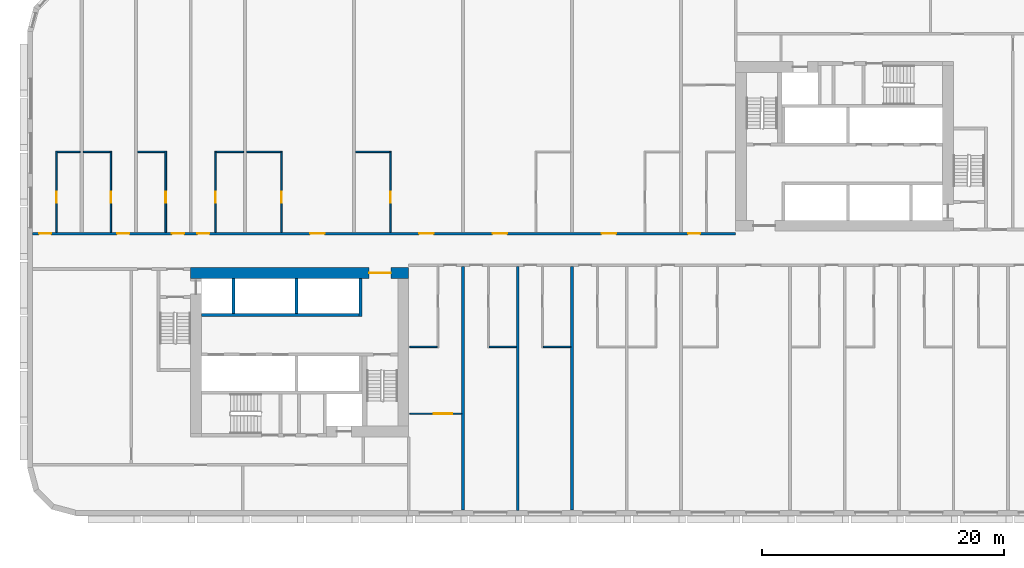
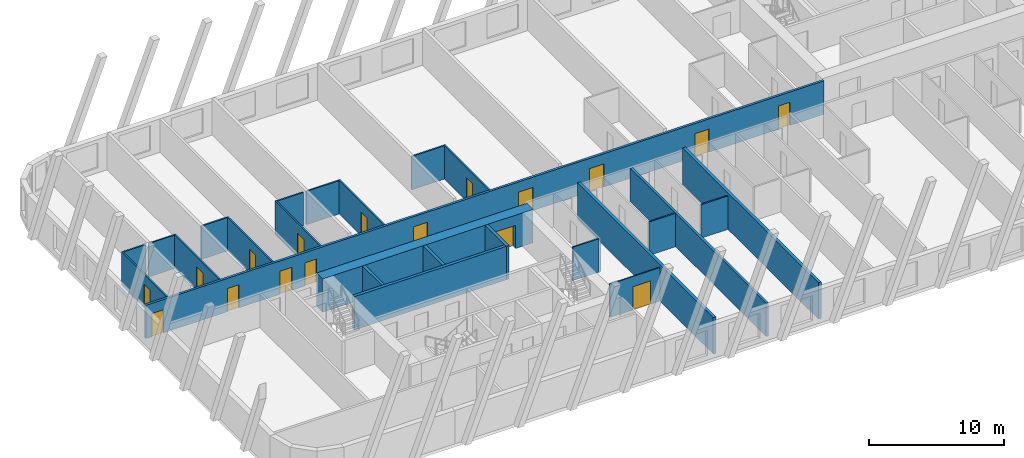
# One storey, part 3 of 13: 25 walls, 17 doors, 17 openings.
"""IFC4 building model written with IfcOpenShell, lengths in metres."""

from ifc_helpers import new_model, si_unit, direction, frame, frame_2d, origin, place, context, subcontext, project, spatial, rectangle, extrude, material, layer, layer_set, type_object, element, fill, save


model = new_model("IFC4")

# Units and contexts
model_context = context("Model", 3, precision=1e-05, world=origin(), true_north=direction((0.0, 1.0)))
body_context = subcontext(model_context, "Body", "Model", "MODEL_VIEW")
ifc_project = project(units=[si_unit("LENGTHUNIT", "METRE"), si_unit("AREAUNIT", "SQUARE_METRE"), si_unit("VOLUMEUNIT", "CUBIC_METRE"), si_unit("PLANEANGLEUNIT", "RADIAN"), si_unit("MASSUNIT", "GRAM", prefix="KILO")], contexts=[model_context])

# Site, building, storey
site_placement = place(None, origin())
site = spatial("IfcSite", under=ifc_project, at=site_placement, CompositionType="ELEMENT")
building_placement = place(site_placement, origin())
building = spatial("IfcBuilding", under=site, at=building_placement, Name="Kajstack Hotel Tower", CompositionType="ELEMENT")
storey_placement = place(building_placement, frame((0.0, 0.0, 89.699951171875)))
storey = spatial("IfcBuildingStorey", under=building, at=storey_placement, Name="L18", CompositionType="ELEMENT", Elevation=89.699951171875)

# Wall, opening, door
ifc_material_1 = material(Name="Concrete C60/75", Category="concrete")
ifc_layer_1 = layer(ifc_material_1, 0.89990234375)
ifc_layer_set_1 = layer_set([ifc_layer_1], Name="Core wall 900")
wall_type_1 = type_object("IfcWallType", Name="Core wall 900", PredefinedType="SHEAR", material=ifc_layer_set_1)
wall_1_placement = place(storey_placement, frame((-31.5, -1.949951171875, 0.0), z_axis=(0.0, 0.0, 1.0), x_axis=(1.0, 0.0, 0.0)))
wall_1 = element("IfcWall", 1, at=wall_1_placement, inside=storey, type_object=wall_type_1, Name="Core wall W RN", PredefinedType="SHEAR", context=body_context, shape_type="SweptSolid", body=[
    extrude(rectangle(XDim=18.0, YDim=0.89990234375, at=frame_2d((9.0, 0.0))), origin(), (0.0, 0.0, 1.0), 3.02001953125),
])
opening_1_placement = place(wall_1_placement, frame((14.72509765625, 0.0, 0.0)))
opening_1 = element("IfcOpeningElement", 2, at=opening_1_placement, cuts=wall_1, Name="Opening 18W06", PredefinedType="OPENING", context=body_context, shape_type="SweptSolid", body=[
    extrude(rectangle(XDim=1.800048828125, YDim=2.10009765625, at=frame_2d((0.89990234375, 1.050048828125))), frame((0.0, 0.4599609375, 0.0), z_axis=(0.0, -1.0, 0.0), x_axis=(1.0, 0.0, 0.0)), (0.0, 0.0, 1.0), 0.919921875),
])
ifc_material_2 = material(Name="Glazed steel frame, fire-rated glass", Category="steel")
door_type_1 = type_object("IfcDoorType", Name="Lobby double door 1800", OperationType="DOUBLE_DOOR_DOUBLE_SWING", PredefinedType="DOOR", material=ifc_material_2)
door_1_placement = place(opening_1_placement, origin())
door_1 = element("IfcDoor", 3, at=door_1_placement, inside=storey, type_object=door_type_1, Name="Door 18W06", OperationType="DOUBLE_DOOR_DOUBLE_SWING", OverallHeight=2.10009765625, OverallWidth=1.800048828125, PredefinedType="DOOR", context=body_context, shape_type="SweptSolid", body=[
    extrude(rectangle(XDim=1.800048828125, YDim=2.10009765625, at=frame_2d((0.89990234375, 1.050048828125))), frame((0.0, 0.02490234375, 0.0), z_axis=(0.0, -1.0, 0.0), x_axis=(1.0, 0.0, 0.0)), (0.0, 0.0, 1.0), 0.050048828125),
])
fill(opening_1, door_1)

# Wall, openings, doors
ifc_material_3 = material(Name="Gypsum board on steel studs, mineral wool", Category="steel")
ifc_layer_2 = layer(ifc_material_3, 0.199951171875)
ifc_layer_set_2 = layer_set([ifc_layer_2], Name="Corridor wall 200")
wall_type_2 = type_object("IfcWallType", Name="Corridor wall 200", PredefinedType="PARTITIONING", material=ifc_layer_set_2)
wall_2_placement = place(storey_placement, frame((-44.550048828125, 1.300048828125, 0.0), z_axis=(0.0, 0.0, 1.0), x_axis=(1.0, 0.0, 0.0)))
wall_2 = element("IfcWall", 4, at=wall_2_placement, inside=storey, type_object=wall_type_2, Name="G-wall-L18-003", PredefinedType="PARTITIONING", context=body_context, shape_type="SweptSolid", body=[
    extrude(rectangle(XDim=58.050048828125, YDim=0.199951171875, at=frame_2d((29.02490234375, 0.0))), origin(), (0.0, 0.0, 1.0), 3.02001953125),
])
opening_2_placement = place(wall_2_placement, frame((0.52490234375, 0.0, 0.0)))
opening_2 = element("IfcOpeningElement", 5, at=opening_2_placement, cuts=wall_2, Name="Opening 18001", PredefinedType="OPENING", context=body_context, shape_type="SweptSolid", body=[
    extrude(rectangle(XDim=1.0, YDim=2.10009765625, at=frame_2d((0.5, 1.050048828125))), frame((0.0, 0.10986328125, 0.0), z_axis=(0.0, -1.0, 0.0), x_axis=(1.0, 0.0, 0.0)), (0.0, 0.0, 1.0), 0.219970703125),
])
opening_3_placement = place(wall_2_placement, frame((6.97509765625, 0.0, 0.0)))
opening_3 = element("IfcOpeningElement", 6, at=opening_3_placement, cuts=wall_2, Name="Opening 18003", PredefinedType="OPENING", context=body_context, shape_type="SweptSolid", body=[
    extrude(rectangle(XDim=1.0, YDim=2.10009765625, at=frame_2d((0.5, 1.050048828125))), frame((0.0, 0.10986328125, 0.0), z_axis=(0.0, -1.0, 0.0), x_axis=(1.0, 0.0, 0.0)), (0.0, 0.0, 1.0), 0.219970703125),
])
opening_4_placement = place(wall_2_placement, frame((11.5, 0.0, 0.0)))
opening_4 = element("IfcOpeningElement", 7, at=opening_4_placement, cuts=wall_2, Name="Opening 18005", PredefinedType="OPENING", context=body_context, shape_type="SweptSolid", body=[
    extrude(rectangle(XDim=1.0, YDim=2.10009765625, at=frame_2d((0.5, 1.050048828125))), frame((0.0, 0.10986328125, 0.0), z_axis=(0.0, -1.0, 0.0), x_axis=(1.0, 0.0, 0.0)), (0.0, 0.0, 1.0), 0.219970703125),
])
opening_5_placement = place(wall_2_placement, frame((13.60009765625, 0.0, 0.0)))
opening_5 = element("IfcOpeningElement", 8, at=opening_5_placement, cuts=wall_2, Name="Opening 18007", PredefinedType="OPENING", context=body_context, shape_type="SweptSolid", body=[
    extrude(rectangle(XDim=1.0, YDim=2.10009765625, at=frame_2d((0.5, 1.050048828125))), frame((0.0, 0.10986328125, 0.0), z_axis=(0.0, -1.0, 0.0), x_axis=(1.0, 0.0, 0.0)), (0.0, 0.0, 1.0), 0.219970703125),
])
opening_6_placement = place(wall_2_placement, frame((22.912109375, 0.0, 0.0)))
opening_6 = element("IfcOpeningElement", 9, at=opening_6_placement, cuts=wall_2, Name="Opening 18009", PredefinedType="OPENING", context=body_context, shape_type="SweptSolid", body=[
    extrude(rectangle(XDim=1.199951171875, YDim=2.10009765625, at=frame_2d((0.60009765625, 1.050048828125))), frame((0.0, 0.10986328125, 0.0), z_axis=(0.0, -1.0, 0.0), x_axis=(1.0, 0.0, 0.0)), (0.0, 0.0, 1.0), 0.219970703125),
])
opening_7_placement = place(wall_2_placement, frame((31.912109375, 0.0, 0.0)))
opening_7 = element("IfcOpeningElement", 10, at=opening_7_placement, cuts=wall_2, Name="Opening 18011", PredefinedType="OPENING", context=body_context, shape_type="SweptSolid", body=[
    extrude(rectangle(XDim=1.199951171875, YDim=2.10009765625, at=frame_2d((0.60009765625, 1.050048828125))), frame((0.0, 0.10986328125, 0.0), z_axis=(0.0, -1.0, 0.0), x_axis=(1.0, 0.0, 0.0)), (0.0, 0.0, 1.0), 0.219970703125),
])
opening_8_placement = place(wall_2_placement, frame((37.987060546875, 0.0, 0.0)))
opening_8 = element("IfcOpeningElement", 11, at=opening_8_placement, cuts=wall_2, Name="Opening 18013", PredefinedType="OPENING", context=body_context, shape_type="SweptSolid", body=[
    extrude(rectangle(XDim=1.199951171875, YDim=2.10009765625, at=frame_2d((0.60009765625, 1.050048828125))), frame((0.0, 0.10986328125, 0.0), z_axis=(0.0, -1.0, 0.0), x_axis=(1.0, 0.0, 0.0)), (0.0, 0.0, 1.0), 0.219970703125),
])
opening_9_placement = place(wall_2_placement, frame((46.987060546875, 0.0, 0.0)))
opening_9 = element("IfcOpeningElement", 12, at=opening_9_placement, cuts=wall_2, Name="Opening 18015", PredefinedType="OPENING", context=body_context, shape_type="SweptSolid", body=[
    extrude(rectangle(XDim=1.199951171875, YDim=2.10009765625, at=frame_2d((0.60009765625, 1.050048828125))), frame((0.0, 0.10986328125, 0.0), z_axis=(0.0, -1.0, 0.0), x_axis=(1.0, 0.0, 0.0)), (0.0, 0.0, 1.0), 0.219970703125),
])
opening_10_placement = place(wall_2_placement, frame((54.125, 0.0, 0.0)))
opening_10 = element("IfcOpeningElement", 13, at=opening_10_placement, cuts=wall_2, Name="Opening 18017", PredefinedType="OPENING", context=body_context, shape_type="SweptSolid", body=[
    extrude(rectangle(XDim=1.0, YDim=2.10009765625, at=frame_2d((0.5, 1.050048828125))), frame((0.0, 0.10986328125, 0.0), z_axis=(0.0, -1.0, 0.0), x_axis=(1.0, 0.0, 0.0)), (0.0, 0.0, 1.0), 0.219970703125),
])
ifc_material_4 = material(Name="Oak veneer on timber core, fire-rated leaf", Category="wood")
door_type_2 = type_object("IfcDoorType", Name="Flat entrance door 1000", OperationType="SINGLE_SWING_LEFT", PredefinedType="DOOR", material=ifc_material_4)
door_2_placement = place(opening_2_placement, origin())
door_2 = element("IfcDoor", 14, at=door_2_placement, inside=storey, type_object=door_type_2, Name="G-door-L18-01", OperationType="SINGLE_SWING_RIGHT", OverallHeight=2.10009765625, OverallWidth=1.0, PredefinedType="DOOR", context=body_context, shape_type="SweptSolid", body=[
    extrude(rectangle(XDim=1.0, YDim=2.10009765625, at=frame_2d((0.5, 1.050048828125))), frame((0.0, 0.02490234375, 0.0), z_axis=(0.0, -1.0, 0.0), x_axis=(1.0, 0.0, 0.0)), (0.0, 0.0, 1.0), 0.050048828125),
])
fill(opening_2, door_2)
door_3_placement = place(opening_3_placement, origin())
door_3 = element("IfcDoor", 15, at=door_3_placement, inside=storey, type_object=door_type_2, Name="G-door-L18-03", OperationType="SINGLE_SWING_RIGHT", OverallHeight=2.10009765625, OverallWidth=1.0, PredefinedType="DOOR", context=body_context, shape_type="SweptSolid", body=[
    extrude(rectangle(XDim=1.0, YDim=2.10009765625, at=frame_2d((0.5, 1.050048828125))), frame((0.0, 0.02490234375, 0.0), z_axis=(0.0, -1.0, 0.0), x_axis=(1.0, 0.0, 0.0)), (0.0, 0.0, 1.0), 0.050048828125),
])
fill(opening_3, door_3)
door_4_placement = place(opening_4_placement, origin())
door_4 = element("IfcDoor", 16, at=door_4_placement, inside=storey, type_object=door_type_2, Name="G-door-L18-05", OperationType="SINGLE_SWING_LEFT", OverallHeight=2.10009765625, OverallWidth=1.0, PredefinedType="DOOR", context=body_context, shape_type="SweptSolid", body=[
    extrude(rectangle(XDim=1.0, YDim=2.10009765625, at=frame_2d((0.5, 1.050048828125))), frame((0.0, 0.02490234375, 0.0), z_axis=(0.0, -1.0, 0.0), x_axis=(1.0, 0.0, 0.0)), (0.0, 0.0, 1.0), 0.050048828125),
])
fill(opening_4, door_4)
door_5_placement = place(opening_5_placement, origin())
door_5 = element("IfcDoor", 17, at=door_5_placement, inside=storey, type_object=door_type_2, Name="G-door-L18-07", OperationType="SINGLE_SWING_RIGHT", OverallHeight=2.10009765625, OverallWidth=1.0, PredefinedType="DOOR", context=body_context, shape_type="SweptSolid", body=[
    extrude(rectangle(XDim=1.0, YDim=2.10009765625, at=frame_2d((0.5, 1.050048828125))), frame((0.0, 0.02490234375, 0.0), z_axis=(0.0, -1.0, 0.0), x_axis=(1.0, 0.0, 0.0)), (0.0, 0.0, 1.0), 0.050048828125),
])
fill(opening_5, door_5)
door_6_placement = place(opening_10_placement, origin())
door_6 = element("IfcDoor", 18, at=door_6_placement, inside=storey, type_object=door_type_2, Name="G-door-L18-17", OperationType="SINGLE_SWING_RIGHT", OverallHeight=2.10009765625, OverallWidth=1.0, PredefinedType="DOOR", context=body_context, shape_type="SweptSolid", body=[
    extrude(rectangle(XDim=1.0, YDim=2.10009765625, at=frame_2d((0.5, 1.050048828125))), frame((0.0, 0.02490234375, 0.0), z_axis=(0.0, -1.0, 0.0), x_axis=(1.0, 0.0, 0.0)), (0.0, 0.0, 1.0), 0.050048828125),
])
fill(opening_10, door_6)
door_type_3 = type_object("IfcDoorType", Name="Flat entrance door 1200", OperationType="SINGLE_SWING_LEFT", PredefinedType="DOOR", material=ifc_material_4)
door_7_placement = place(opening_6_placement, origin())
door_7 = element("IfcDoor", 19, at=door_7_placement, inside=storey, type_object=door_type_3, Name="G-door-L18-09", OperationType="SINGLE_SWING_RIGHT", OverallHeight=2.10009765625, OverallWidth=1.199951171875, PredefinedType="DOOR", context=body_context, shape_type="SweptSolid", body=[
    extrude(rectangle(XDim=1.199951171875, YDim=2.10009765625, at=frame_2d((0.60009765625, 1.050048828125))), frame((0.0, 0.02490234375, 0.0), z_axis=(0.0, -1.0, 0.0), x_axis=(1.0, 0.0, 0.0)), (0.0, 0.0, 1.0), 0.050048828125),
])
fill(opening_6, door_7)
door_8_placement = place(opening_7_placement, origin())
door_8 = element("IfcDoor", 20, at=door_8_placement, inside=storey, type_object=door_type_3, Name="G-door-L18-11", OperationType="SINGLE_SWING_RIGHT", OverallHeight=2.10009765625, OverallWidth=1.199951171875, PredefinedType="DOOR", context=body_context, shape_type="SweptSolid", body=[
    extrude(rectangle(XDim=1.199951171875, YDim=2.10009765625, at=frame_2d((0.60009765625, 1.050048828125))), frame((0.0, 0.02490234375, 0.0), z_axis=(0.0, -1.0, 0.0), x_axis=(1.0, 0.0, 0.0)), (0.0, 0.0, 1.0), 0.050048828125),
])
fill(opening_7, door_8)
door_9_placement = place(opening_8_placement, origin())
door_9 = element("IfcDoor", 21, at=door_9_placement, inside=storey, type_object=door_type_3, Name="G-door-L18-13", OperationType="SINGLE_SWING_RIGHT", OverallHeight=2.10009765625, OverallWidth=1.199951171875, PredefinedType="DOOR", context=body_context, shape_type="SweptSolid", body=[
    extrude(rectangle(XDim=1.199951171875, YDim=2.10009765625, at=frame_2d((0.60009765625, 1.050048828125))), frame((0.0, 0.02490234375, 0.0), z_axis=(0.0, -1.0, 0.0), x_axis=(1.0, 0.0, 0.0)), (0.0, 0.0, 1.0), 0.050048828125),
])
fill(opening_8, door_9)
door_10_placement = place(opening_9_placement, origin())
door_10 = element("IfcDoor", 22, at=door_10_placement, inside=storey, type_object=door_type_3, Name="G-door-L18-15", OperationType="SINGLE_SWING_RIGHT", OverallHeight=2.10009765625, OverallWidth=1.199951171875, PredefinedType="DOOR", context=body_context, shape_type="SweptSolid", body=[
    extrude(rectangle(XDim=1.199951171875, YDim=2.10009765625, at=frame_2d((0.60009765625, 1.050048828125))), frame((0.0, 0.02490234375, 0.0), z_axis=(0.0, -1.0, 0.0), x_axis=(1.0, 0.0, 0.0)), (0.0, 0.0, 1.0), 0.050048828125),
])
fill(opening_9, door_10)

# Wall
ifc_material_5 = material(Name="Twin-frame gypsum board on steel studs, mineral wool", Category="steel")
ifc_layer_3 = layer(ifc_material_5, 0.199951171875)
ifc_layer_set_3 = layer_set([ifc_layer_3], Name="Demising wall 200")
wall_type_3 = type_object("IfcWallType", Name="Demising wall 200", PredefinedType="PARTITIONING", material=ifc_layer_set_3)
wall_3_placement = place(storey_placement, frame((-4.5, -21.550048828125, 0.0), z_axis=(0.0, 0.0, 1.0), x_axis=(0.0, 1.0, 0.0)))
element("IfcWall", 23, at=wall_3_placement, inside=storey, type_object=wall_type_3, Name="G-wall-L18-028", PredefinedType="PARTITIONING", context=body_context, shape_type="SweptSolid", body=[
    extrude(rectangle(XDim=20.150146484375, YDim=0.199951171875, at=frame_2d((10.0751953125, 0.0))), origin(), (0.0, 0.0, 1.0), 3.02001953125),
])

# Wall, opening, door
ifc_material_6 = material(Name="Gypsum board and tiled backer on steel studs", Category="steel")
ifc_layer_4 = layer(ifc_material_6, 0.125)
ifc_layer_set_4 = layer_set([ifc_layer_4], Name="En-suite wall 125")
wall_type_4 = type_object("IfcWallType", Name="En-suite wall 125", PredefinedType="PARTITIONING", material=ifc_layer_set_4)
wall_4_placement = place(storey_placement, frame((-42.5869140625, 1.39990234375, 0.0), z_axis=(0.0, 0.0, 1.0), x_axis=(0.0, 1.0, 0.0)))
wall_4 = element("IfcWall", 24, at=wall_4_placement, inside=storey, type_object=wall_type_4, Name="G-wall-L18-004", PredefinedType="PARTITIONING", context=body_context, shape_type="SweptSolid", body=[
    extrude(rectangle(XDim=6.72509765625, YDim=0.125, at=frame_2d((3.362548828125, 0.0))), origin(), (0.0, 0.0, 1.0), 3.02001953125),
])
opening_11_placement = place(wall_4_placement, frame((2.449951171875, 0.0, 0.0)))
opening_11 = element("IfcOpeningElement", 25, at=opening_11_placement, cuts=wall_4, Name="Opening 18002", PredefinedType="OPENING", context=body_context, shape_type="SweptSolid", body=[
    extrude(rectangle(XDim=0.89990234375, YDim=2.10009765625, at=frame_2d((0.449951171875, 1.050048828125))), frame((0.0, 0.072509765625, 0.0), z_axis=(0.0, -1.0, 0.0), x_axis=(1.0, 0.0, 0.0)), (0.0, 0.0, 1.0), 0.14501953125),
])
ifc_material_7 = material(Name="Painted timber door leaf", Category="wood")
door_type_4 = type_object("IfcDoorType", Name="Room door 900", OperationType="SINGLE_SWING_LEFT", PredefinedType="DOOR", material=ifc_material_7)
door_11_placement = place(opening_11_placement, origin())
door_11 = element("IfcDoor", 26, at=door_11_placement, inside=storey, type_object=door_type_4, Name="G-door-L18-02", OperationType="SINGLE_SWING_LEFT", OverallHeight=2.10009765625, OverallWidth=0.89990234375, PredefinedType="DOOR", context=body_context, shape_type="SweptSolid", body=[
    extrude(rectangle(XDim=0.89990234375, YDim=2.10009765625, at=frame_2d((0.449951171875, 1.050048828125))), frame((0.0, 0.02490234375, 0.0), z_axis=(0.0, -1.0, 0.0), x_axis=(1.0, 0.0, 0.0)), (0.0, 0.0, 1.0), 0.050048828125),
])
fill(opening_11, door_11)

# Wall
wall_5_placement = place(storey_placement, frame((-42.52490234375, 8.06201171875, 0.0), z_axis=(0.0, 0.0, 1.0), x_axis=(1.0, 0.0, 0.0)))
element("IfcWall", 27, at=wall_5_placement, inside=storey, type_object=wall_type_4, Name="G-wall-L18-005", PredefinedType="PARTITIONING", context=body_context, shape_type="SweptSolid", body=[
    extrude(rectangle(XDim=1.89990234375, YDim=0.125, at=frame_2d((0.949951171875, 0.0))), origin(), (0.0, 0.0, 1.0), 3.02001953125),
])

# Wall, opening, door
wall_6_placement = place(storey_placement, frame((-38.0869140625, 1.39990234375, 0.0), z_axis=(0.0, 0.0, 1.0), x_axis=(0.0, 1.0, 0.0)))
wall_6 = element("IfcWall", 28, at=wall_6_placement, inside=storey, type_object=wall_type_4, Name="G-wall-L18-006", PredefinedType="PARTITIONING", context=body_context, shape_type="SweptSolid", body=[
    extrude(rectangle(XDim=6.72509765625, YDim=0.125, at=frame_2d((3.362548828125, 0.0))), origin(), (0.0, 0.0, 1.0), 3.02001953125),
])
opening_12_placement = place(wall_6_placement, frame((2.449951171875, 0.0, 0.0)))
opening_12 = element("IfcOpeningElement", 29, at=opening_12_placement, cuts=wall_6, Name="Opening 18004", PredefinedType="OPENING", context=body_context, shape_type="SweptSolid", body=[
    extrude(rectangle(XDim=0.89990234375, YDim=2.10009765625, at=frame_2d((0.449951171875, 1.050048828125))), frame((0.0, 0.072509765625, 0.0), z_axis=(0.0, -1.0, 0.0), x_axis=(1.0, 0.0, 0.0)), (0.0, 0.0, 1.0), 0.14501953125),
])
door_12_placement = place(opening_12_placement, origin())
door_12 = element("IfcDoor", 30, at=door_12_placement, inside=storey, type_object=door_type_4, Name="G-door-L18-04", OperationType="SINGLE_SWING_RIGHT", OverallHeight=2.10009765625, OverallWidth=0.89990234375, PredefinedType="DOOR", context=body_context, shape_type="SweptSolid", body=[
    extrude(rectangle(XDim=0.89990234375, YDim=2.10009765625, at=frame_2d((0.449951171875, 1.050048828125))), frame((0.0, 0.02490234375, 0.0), z_axis=(0.0, -1.0, 0.0), x_axis=(1.0, 0.0, 0.0)), (0.0, 0.0, 1.0), 0.050048828125),
])
fill(opening_12, door_12)

# Wall
wall_7_placement = place(storey_placement, frame((-40.375, 8.06201171875, 0.0), z_axis=(0.0, 0.0, 1.0), x_axis=(1.0, 0.0, 0.0)))
element("IfcWall", 31, at=wall_7_placement, inside=storey, type_object=wall_type_4, Name="G-wall-L18-007", PredefinedType="PARTITIONING", context=body_context, shape_type="SweptSolid", body=[
    extrude(rectangle(XDim=2.22509765625, YDim=0.125, at=frame_2d((1.112548828125, 0.0))), origin(), (0.0, 0.0, 1.0), 3.02001953125),
])

# Wall, opening, door
wall_8_placement = place(storey_placement, frame((-33.56201171875, 1.39990234375, 0.0), z_axis=(0.0, 0.0, 1.0), x_axis=(0.0, 1.0, 0.0)))
wall_8 = element("IfcWall", 32, at=wall_8_placement, inside=storey, type_object=wall_type_4, Name="G-wall-L18-009", PredefinedType="PARTITIONING", context=body_context, shape_type="SweptSolid", body=[
    extrude(rectangle(XDim=6.72509765625, YDim=0.125, at=frame_2d((3.362548828125, 0.0))), origin(), (0.0, 0.0, 1.0), 3.02001953125),
])
opening_13_placement = place(wall_8_placement, frame((2.449951171875, 0.0, 0.0)))
opening_13 = element("IfcOpeningElement", 33, at=opening_13_placement, cuts=wall_8, Name="Opening 18006", PredefinedType="OPENING", context=body_context, shape_type="SweptSolid", body=[
    extrude(rectangle(XDim=0.89990234375, YDim=2.10009765625, at=frame_2d((0.449951171875, 1.050048828125))), frame((0.0, 0.072509765625, 0.0), z_axis=(0.0, -1.0, 0.0), x_axis=(1.0, 0.0, 0.0)), (0.0, 0.0, 1.0), 0.14501953125),
])
door_13_placement = place(opening_13_placement, origin())
door_13 = element("IfcDoor", 34, at=door_13_placement, inside=storey, type_object=door_type_4, Name="G-door-L18-06", OperationType="SINGLE_SWING_LEFT", OverallHeight=2.10009765625, OverallWidth=0.89990234375, PredefinedType="DOOR", context=body_context, shape_type="SweptSolid", body=[
    extrude(rectangle(XDim=0.89990234375, YDim=2.10009765625, at=frame_2d((0.449951171875, 1.050048828125))), frame((0.0, 0.02490234375, 0.0), z_axis=(0.0, -1.0, 0.0), x_axis=(1.0, 0.0, 0.0)), (0.0, 0.0, 1.0), 0.050048828125),
])
fill(opening_13, door_13)

# Wall
wall_9_placement = place(storey_placement, frame((-35.875, 8.06201171875, 0.0), z_axis=(0.0, 0.0, 1.0), x_axis=(1.0, 0.0, 0.0)))
element("IfcWall", 35, at=wall_9_placement, inside=storey, type_object=wall_type_4, Name="G-wall-L18-010", PredefinedType="PARTITIONING", context=body_context, shape_type="SweptSolid", body=[
    extrude(rectangle(XDim=2.25, YDim=0.125, at=frame_2d((1.125, 0.0))), origin(), (0.0, 0.0, 1.0), 3.02001953125),
])

# Wall, opening, door
wall_10_placement = place(storey_placement, frame((-29.43798828125, 1.39990234375, 0.0), z_axis=(0.0, 0.0, 1.0), x_axis=(0.0, 1.0, 0.0)))
wall_10 = element("IfcWall", 36, at=wall_10_placement, inside=storey, type_object=wall_type_4, Name="G-wall-L18-011", PredefinedType="PARTITIONING", context=body_context, shape_type="SweptSolid", body=[
    extrude(rectangle(XDim=6.72509765625, YDim=0.125, at=frame_2d((3.362548828125, 0.0))), origin(), (0.0, 0.0, 1.0), 3.02001953125),
])
opening_14_placement = place(wall_10_placement, frame((2.449951171875, 0.0, 0.0)))
opening_14 = element("IfcOpeningElement", 37, at=opening_14_placement, cuts=wall_10, Name="Opening 18008", PredefinedType="OPENING", context=body_context, shape_type="SweptSolid", body=[
    extrude(rectangle(XDim=0.89990234375, YDim=2.10009765625, at=frame_2d((0.449951171875, 1.050048828125))), frame((0.0, 0.072509765625, 0.0), z_axis=(0.0, -1.0, 0.0), x_axis=(1.0, 0.0, 0.0)), (0.0, 0.0, 1.0), 0.14501953125),
])
door_14_placement = place(opening_14_placement, origin())
door_14 = element("IfcDoor", 38, at=door_14_placement, inside=storey, type_object=door_type_4, Name="G-door-L18-08", OperationType="SINGLE_SWING_RIGHT", OverallHeight=2.10009765625, OverallWidth=0.89990234375, PredefinedType="DOOR", context=body_context, shape_type="SweptSolid", body=[
    extrude(rectangle(XDim=0.89990234375, YDim=2.10009765625, at=frame_2d((0.449951171875, 1.050048828125))), frame((0.0, 0.02490234375, 0.0), z_axis=(0.0, -1.0, 0.0), x_axis=(1.0, 0.0, 0.0)), (0.0, 0.0, 1.0), 0.050048828125),
])
fill(opening_14, door_14)

# Wall
wall_11_placement = place(storey_placement, frame((-29.375, 8.06201171875, 0.0), z_axis=(0.0, 0.0, 1.0), x_axis=(1.0, 0.0, 0.0)))
element("IfcWall", 39, at=wall_11_placement, inside=storey, type_object=wall_type_4, Name="G-wall-L18-012", PredefinedType="PARTITIONING", context=body_context, shape_type="SweptSolid", body=[
    extrude(rectangle(XDim=2.25, YDim=0.125, at=frame_2d((1.125, 0.0))), origin(), (0.0, 0.0, 1.0), 3.02001953125),
])

# Wall, opening, door
wall_12_placement = place(storey_placement, frame((-24.011962890625, 1.39990234375, 0.0), z_axis=(0.0, 0.0, 1.0), x_axis=(0.0, 1.0, 0.0)))
wall_12 = element("IfcWall", 40, at=wall_12_placement, inside=storey, type_object=wall_type_4, Name="G-wall-L18-013", PredefinedType="PARTITIONING", context=body_context, shape_type="SweptSolid", body=[
    extrude(rectangle(XDim=6.72509765625, YDim=0.125, at=frame_2d((3.362548828125, 0.0))), origin(), (0.0, 0.0, 1.0), 3.02001953125),
])
opening_15_placement = place(wall_12_placement, frame((2.449951171875, 0.0, 0.0)))
opening_15 = element("IfcOpeningElement", 41, at=opening_15_placement, cuts=wall_12, Name="Opening 18010", PredefinedType="OPENING", context=body_context, shape_type="SweptSolid", body=[
    extrude(rectangle(XDim=0.89990234375, YDim=2.10009765625, at=frame_2d((0.449951171875, 1.050048828125))), frame((0.0, 0.072509765625, 0.0), z_axis=(0.0, -1.0, 0.0), x_axis=(1.0, 0.0, 0.0)), (0.0, 0.0, 1.0), 0.14501953125),
])
door_15_placement = place(opening_15_placement, origin())
door_15 = element("IfcDoor", 42, at=door_15_placement, inside=storey, type_object=door_type_4, Name="G-door-L18-10", OperationType="SINGLE_SWING_RIGHT", OverallHeight=2.10009765625, OverallWidth=0.89990234375, PredefinedType="DOOR", context=body_context, shape_type="SweptSolid", body=[
    extrude(rectangle(XDim=0.89990234375, YDim=2.10009765625, at=frame_2d((0.449951171875, 1.050048828125))), frame((0.0, 0.02490234375, 0.0), z_axis=(0.0, -1.0, 0.0), x_axis=(1.0, 0.0, 0.0)), (0.0, 0.0, 1.0), 0.050048828125),
])
fill(opening_15, door_15)

# Wall
wall_13_placement = place(storey_placement, frame((-26.875, 8.06201171875, 0.0), z_axis=(0.0, 0.0, 1.0), x_axis=(1.0, 0.0, 0.0)))
element("IfcWall", 43, at=wall_13_placement, inside=storey, type_object=wall_type_4, Name="G-wall-L18-014", PredefinedType="PARTITIONING", context=body_context, shape_type="SweptSolid", body=[
    extrude(rectangle(XDim=2.800048828125, YDim=0.125, at=frame_2d((1.39990234375, 0.0))), origin(), (0.0, 0.0, 1.0), 3.02001953125),
])

# Wall, opening, door
wall_14_placement = place(storey_placement, frame((-15.011962890625, 1.39990234375, 0.0), z_axis=(0.0, 0.0, 1.0), x_axis=(0.0, 1.0, 0.0)))
wall_14 = element("IfcWall", 44, at=wall_14_placement, inside=storey, type_object=wall_type_4, Name="G-wall-L18-015", PredefinedType="PARTITIONING", context=body_context, shape_type="SweptSolid", body=[
    extrude(rectangle(XDim=6.72509765625, YDim=0.125, at=frame_2d((3.362548828125, 0.0))), origin(), (0.0, 0.0, 1.0), 3.02001953125),
])
opening_16_placement = place(wall_14_placement, frame((2.449951171875, 0.0, 0.0)))
opening_16 = element("IfcOpeningElement", 45, at=opening_16_placement, cuts=wall_14, Name="Opening 18012", PredefinedType="OPENING", context=body_context, shape_type="SweptSolid", body=[
    extrude(rectangle(XDim=0.89990234375, YDim=2.10009765625, at=frame_2d((0.449951171875, 1.050048828125))), frame((0.0, 0.072509765625, 0.0), z_axis=(0.0, -1.0, 0.0), x_axis=(1.0, 0.0, 0.0)), (0.0, 0.0, 1.0), 0.14501953125),
])
door_16_placement = place(opening_16_placement, origin())
door_16 = element("IfcDoor", 46, at=door_16_placement, inside=storey, type_object=door_type_4, Name="G-door-L18-12", OperationType="SINGLE_SWING_LEFT", OverallHeight=2.10009765625, OverallWidth=0.89990234375, PredefinedType="DOOR", context=body_context, shape_type="SweptSolid", body=[
    extrude(rectangle(XDim=0.89990234375, YDim=2.10009765625, at=frame_2d((0.449951171875, 1.050048828125))), frame((0.0, 0.02490234375, 0.0), z_axis=(0.0, -1.0, 0.0), x_axis=(1.0, 0.0, 0.0)), (0.0, 0.0, 1.0), 0.050048828125),
])
fill(opening_16, door_16)

# Walls
wall_15_placement = place(storey_placement, frame((-17.875, 8.06201171875, 0.0), z_axis=(0.0, 0.0, 1.0), x_axis=(1.0, 0.0, 0.0)))
element("IfcWall", 47, at=wall_15_placement, inside=storey, type_object=wall_type_4, Name="G-wall-L18-016", PredefinedType="PARTITIONING", context=body_context, shape_type="SweptSolid", body=[
    extrude(rectangle(XDim=2.800048828125, YDim=0.125, at=frame_2d((1.39990234375, 0.0))), origin(), (0.0, 0.0, 1.0), 3.02001953125),
])
for number, where, z_axis, x_axis, name in (
    (48, (-13.39990234375, -8.06201171875, 0.0), (0.0, 0.0, 1.0), (1.0, 0.0, 0.0), "G-wall-L18-026"),
    (49, (-6.85009765625, -8.06201171875, 0.0), (0.0, 0.0, 1.0), (1.0, 0.0, 0.0), "G-wall-L18-030"),
    (50, (-2.375, -8.06201171875, 0.0), (0.0, 0.0, 1.0), (1.0, 0.0, 0.0), "G-wall-L18-032"),
):
    element("IfcWall", number, at=place(storey_placement, frame(where, z_axis=z_axis, x_axis=x_axis)), inside=storey, type_object=wall_type_4, Name=name, PredefinedType="PARTITIONING", context=body_context, shape_type="SweptSolid", body=[
        extrude(rectangle(XDim=2.25, YDim=0.125, at=frame_2d((1.125, 0.0))), origin(), (0.0, 0.0, 1.0), 3.02001953125),
    ])
ifc_material_8 = material(Name="Concrete C50/60", Category="concrete")
ifc_layer_5 = layer(ifc_material_8, 0.300048828125)
ifc_layer_set_5 = layer_set([ifc_layer_5], Name="Hoistway divider wall 300")
wall_type_5 = type_object("IfcWallType", Name="Hoistway divider wall 300", PredefinedType="SHEAR", material=ifc_layer_set_5)
wall_16_placement = place(storey_placement, frame((-22.77490234375, -5.300048828125, 0.0), z_axis=(0.0, 0.0, 1.0), x_axis=(0.0, 1.0, 0.0)))
element("IfcWall", 51, at=wall_16_placement, inside=storey, type_object=wall_type_5, Name="Core wall W AP2", PredefinedType="SHEAR", context=body_context, shape_type="SweptSolid", body=[
    extrude(rectangle(XDim=2.900146484375, YDim=0.25, at=frame_2d((1.4501953125, 0.0))), origin(), (0.0, 0.0, 1.0), 3.02001953125),
])

# Wall, opening, door
ifc_material_9 = material(Name="Gypsum board on steel studs", Category="steel")
ifc_layer_6 = layer(ifc_material_9, 0.10009765625)
ifc_layer_set_6 = layer_set([ifc_layer_6], Name="Partition 100")
wall_type_6 = type_object("IfcWallType", Name="Partition 100", PredefinedType="PARTITIONING", material=ifc_layer_set_6)
wall_17_placement = place(storey_placement, frame((-13.39990234375, -13.574951171875, 0.0), z_axis=(0.0, 0.0, 1.0), x_axis=(1.0, 0.0, 0.0)))
wall_17 = element("IfcWall", 52, at=wall_17_placement, inside=storey, type_object=wall_type_6, Name="G-wall-L18-027", PredefinedType="PARTITIONING", context=body_context, shape_type="SweptSolid", body=[
    extrude(rectangle(XDim=4.27490234375, YDim=0.10009765625, at=frame_2d((2.137451171875, 0.0))), origin(), (0.0, 0.0, 1.0), 3.02001953125),
])
opening_17_placement = place(wall_17_placement, frame((1.988037109375, 0.0, 0.0)))
opening_17 = element("IfcOpeningElement", 53, at=opening_17_placement, cuts=wall_17, Name="Opening 18022", PredefinedType="OPENING", context=body_context, shape_type="SweptSolid", body=[
    extrude(rectangle(XDim=1.5, YDim=2.10009765625, at=frame_2d((0.75, 1.050048828125))), frame((0.0, 0.06005859375, 0.0), z_axis=(0.0, -1.0, 0.0), x_axis=(1.0, 0.0, 0.0)), (0.0, 0.0, 1.0), 0.1201171875),
])
ifc_material_10 = material(Name="Painted timber door leaves, glazed panels", Category="wood")
door_type_5 = type_object("IfcDoorType", Name="Double door 1500", OperationType="SINGLE_SWING_LEFT", PredefinedType="DOOR", material=ifc_material_10)
door_17_placement = place(opening_17_placement, origin())
door_17 = element("IfcDoor", 54, at=door_17_placement, inside=storey, type_object=door_type_5, Name="G-door-L18-22", OperationType="SINGLE_SWING_LEFT", OverallHeight=2.10009765625, OverallWidth=1.5, PredefinedType="DOOR", context=body_context, shape_type="SweptSolid", body=[
    extrude(rectangle(XDim=1.5, YDim=2.10009765625, at=frame_2d((0.75, 1.050048828125))), frame((0.0, 0.02490234375, 0.0), z_axis=(0.0, -1.0, 0.0), x_axis=(1.0, 0.0, 0.0)), (0.0, 0.0, 1.0), 0.050048828125),
])
fill(opening_17, door_17)

# Walls
ifc_layer_7 = layer(ifc_material_1, 0.25)
ifc_layer_set_7 = layer_set([ifc_layer_7], Name="RC cross wall 250 C60/75")
wall_type_7 = type_object("IfcWallType", Name="RC cross wall 250 C60/75", PredefinedType="SHEAR", material=ifc_layer_set_7)
for number, where, z_axis, x_axis, name in (
    (55, (-9.0, -21.5400390625, 0.0), (0.0, 0.0, 1.0), (0.0, 1.0, 0.0), "S-wall-L18-05"),
    (56, (0.0, -21.5400390625, 0.0), (0.0, 0.0, 1.0), (0.0, 1.0, 0.0), "S-wall-L18-07"),
):
    element("IfcWall", number, at=place(storey_placement, frame(where, z_axis=z_axis, x_axis=x_axis)), inside=storey, type_object=wall_type_7, Name=name, PredefinedType="SHEAR", context=body_context, shape_type="SweptSolid", body=[
        extrude(rectangle(XDim=20.14013671875, YDim=0.25, at=frame_2d((10.070068359375, 0.0))), origin(), (0.0, 0.0, 1.0), 3.300048828125),
    ])
ifc_layer_8 = layer(ifc_material_8, 0.25)
ifc_layer_set_8 = layer_set([ifc_layer_8], Name="Shaft wall 250")
wall_type_8 = type_object("IfcWallType", Name="Shaft wall 250", PredefinedType="SHEAR", material=ifc_layer_set_8)
wall_18_placement = place(storey_placement, frame((-30.60009765625, -5.425048828125, 0.0), z_axis=(0.0, 0.0, 1.0), x_axis=(1.0, 0.0, 0.0)))
element("IfcWall", 57, at=wall_18_placement, inside=storey, type_object=wall_type_8, Name="Core wall W FA", PredefinedType="SHEAR", context=body_context, shape_type="SweptSolid", body=[
    extrude(rectangle(XDim=13.0, YDim=0.25, at=frame_2d((6.5, 0.0))), origin(), (0.0, 0.0, 1.0), 3.02001953125),
])
wall_19_placement = place(storey_placement, frame((-17.47509765625, -5.550048828125, 0.0), z_axis=(0.0, 0.0, 1.0), x_axis=(0.0, 1.0, 0.0)))
element("IfcWall", 58, at=wall_19_placement, inside=storey, type_object=wall_type_8, Name="Core wall W AE", PredefinedType="SHEAR", context=body_context, shape_type="SweptSolid", body=[
    extrude(rectangle(XDim=3.150146484375, YDim=0.25, at=frame_2d((1.5751953125, 0.0))), origin(), (0.0, 0.0, 1.0), 3.02001953125),
])
wall_20_placement = place(storey_placement, frame((-27.97509765625, -5.300048828125, 0.0), z_axis=(0.0, 0.0, 1.0), x_axis=(0.0, 1.0, 0.0)))
element("IfcWall", 59, at=wall_20_placement, inside=storey, type_object=wall_type_8, Name="Core wall W AP0", PredefinedType="SHEAR", context=body_context, shape_type="SweptSolid", body=[
    extrude(rectangle(XDim=2.900146484375, YDim=0.25, at=frame_2d((1.4501953125, 0.0))), origin(), (0.0, 0.0, 1.0), 3.02001953125),
])

save(model, "model.ifc")
